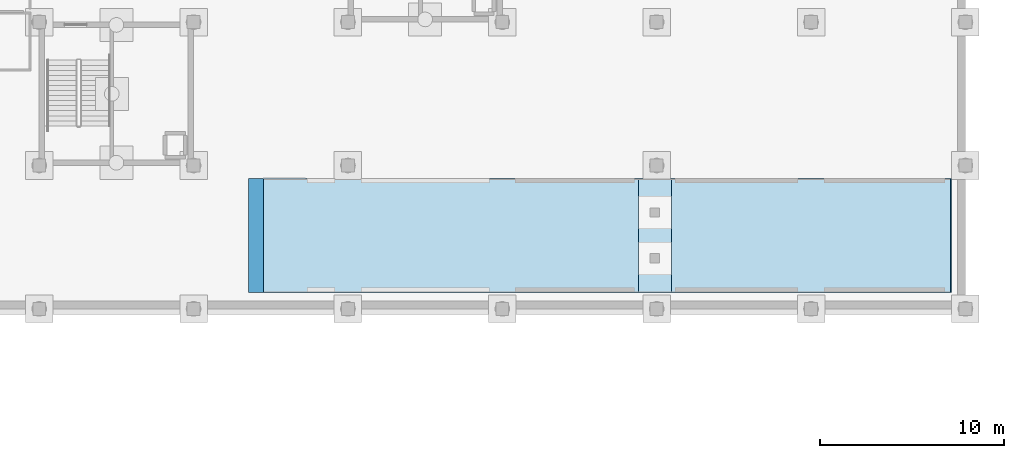
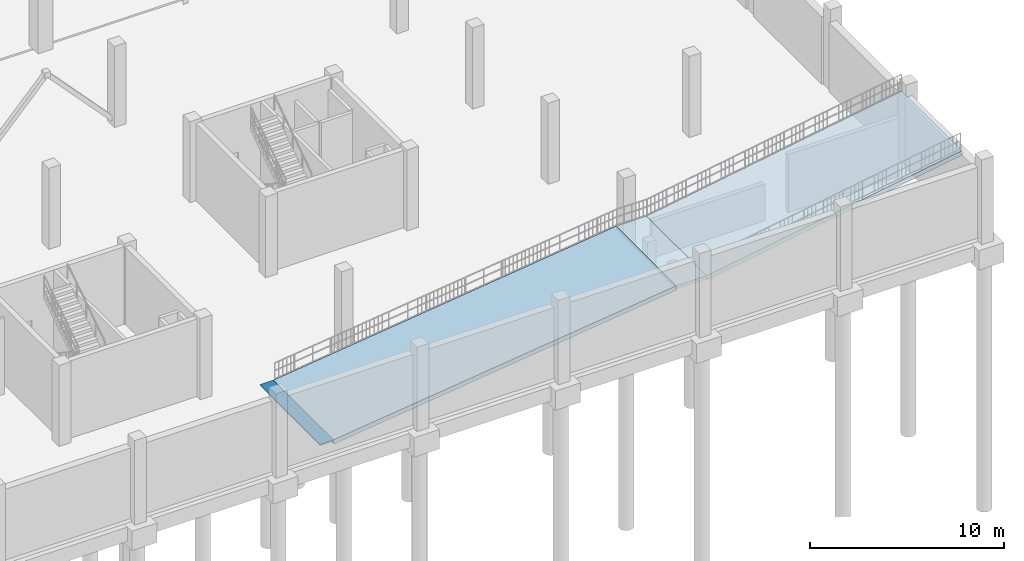
# One storey, part 36 of 48: 3 slabs, 1 ramp.
"""IFC4 building model written with IfcOpenShell, lengths in metres."""

from ifc_helpers import new_model, si_unit, direction, frame, origin, place, context, subcontext, project, spatial, polyline, outline, extrude, material, layer, layer_set, type_object, element, aggregate, save


model = new_model("IFC4")

# Units and contexts
model_context = context("Model", 3, precision=1e-05, world=origin(), true_north=direction((0.0, 1.0)))
body_context = subcontext(model_context, "Body", "Model", "MODEL_VIEW")
ifc_project = project(units=[si_unit("LENGTHUNIT", "METRE"), si_unit("AREAUNIT", "SQUARE_METRE"), si_unit("VOLUMEUNIT", "CUBIC_METRE"), si_unit("PLANEANGLEUNIT", "RADIAN"), si_unit("MASSUNIT", "GRAM", prefix="KILO")], contexts=[model_context])

# Slab
ifc_material = material(Name="Concrete C35/45", Category="concrete")
ifc_layer_1 = layer(ifc_material, 0.199951171875, Name="Concrete C35/45")
ifc_layer_set_1 = layer_set([ifc_layer_1], Name="Concrete C35/45")
slab_type_1 = type_object("IfcSlabType", Name="Reinforced Concrete Stair Half-Landing 200", PredefinedType="LANDING", material=ifc_layer_set_1)
site_placement = place(None, origin())
building_placement = place(site_placement, origin())
storey_placement = place(building_placement, frame((0.0, 0.0, -5.10009765625)))
slab_1_placement = place(storey_placement, frame((0.0, 0.0, 2.35009765625)))
slab_1 = element("IfcSlab", 1, at=slab_1_placement, type_object=slab_type_1, Name="Vehicle Ramp Intermediate Level Landing (-2.55)", PredefinedType="LANDING", context=body_context, shape_type="SweptSolid", body=[
    extrude(outline(polyline([(177.199951171875, 0.89990234375), (177.199951171875, 7.10009765625), (175.39990234375, 7.10009765625), (175.39990234375, 0.89990234375), (177.199951171875, 0.89990234375)])), origin(), (0.0, 0.0, 1.0), 0.199951171875),
])

ifc_layer_2 = layer(ifc_material, 0.280029296875, Name="Concrete C35/45")
ifc_layer_set_2 = layer_set([ifc_layer_2], Name="Concrete C35/45")
slab_type_2 = type_object("IfcSlabType", Name="Reinforced Concrete Vehicle Ramp Structural Slab 280", PredefinedType="FLOOR", material=ifc_layer_set_2)
slab_2_placement = place(storey_placement, frame((155.0, 0.89990234375, 0.0), z_axis=(-0.124037657743, 0.0, 0.992277511315), x_axis=(0.992277511315, 0.0, 0.124037657743)))
slab_2 = element("IfcSlab", 2, at=slab_2_placement, type_object=slab_type_2, Name="B1 Underground Car Park Vehicle Ramp Lower Structural Slab", PredefinedType="FLOOR", context=body_context, shape_type="SweptSolid", body=[
    extrude(outline(polyline([(0.0, 0.0), (20.558666412497637, 0.0), (20.558666412497637, 6.200195312500002), (0.0, 6.200195312500002), (0.0, 0.0)])), origin(), (0.0, 0.0, -1.0), 0.280029296875),
])

slab_3_placement = place(storey_placement, frame((177.199951171875, 0.89990234375, 2.550048828125), z_axis=(-0.165454645031, 0.0, 0.98621740019), x_axis=(0.98621740019, 0.0, 0.165454645031)))
slab_3 = element("IfcSlab", 3, at=slab_3_placement, type_object=slab_type_2, Name="B1 Underground Car Park Vehicle Ramp Upper Structural Slab", PredefinedType="FLOOR", context=body_context, shape_type="SweptSolid", body=[
    extrude(outline(polyline([(0.0, 0.0), (15.41237375141175, 0.0), (15.41237375141175, 6.200195312499999), (0.0, 6.200195312499999), (0.0, 0.0)])), origin(), (0.0, 0.0, -1.0), 0.280029296875),
])

# Site, building, storey
site = spatial("IfcSite", under=ifc_project, at=site_placement, CompositionType="ELEMENT")
building = spatial("IfcBuilding", under=site, at=building_placement, Name="Nabrawat Pavilion Hospital", CompositionType="ELEMENT")
storey = spatial("IfcBuildingStorey", under=building, at=storey_placement, Name="B1", CompositionType="ELEMENT", Elevation=-5.10009765625)

# Ramp
ramp_type = type_object("IfcRampType", Name="Two-Way Underground Car Park Vehicle Ramp", PredefinedType="STRAIGHT_RUN_RAMP", material=ifc_material)
ramp_placement = place(storey_placement, frame((0.0, 0.0, -0.079833984375)))
ramp = element("IfcRamp", 4, at=ramp_placement, inside=storey, type_object=ramp_type, Name="Underground Car Park Two-Way Vehicle Ramp", PredefinedType="STRAIGHT_RUN_RAMP", context=body_context, shape_type="SweptSolid", body=[
    extrude(outline(polyline([(155.0, 0.89990234375), (155.0, 7.10009765625), (154.199951171875, 7.10009765625), (154.199951171875, 0.89990234375), (155.0, 0.89990234375)])), origin(), (0.0, 0.0, 1.0), 0.079833984375),
])

aggregate(ramp, [slab_2, slab_3, slab_1])

save(model, "model.ifc")
